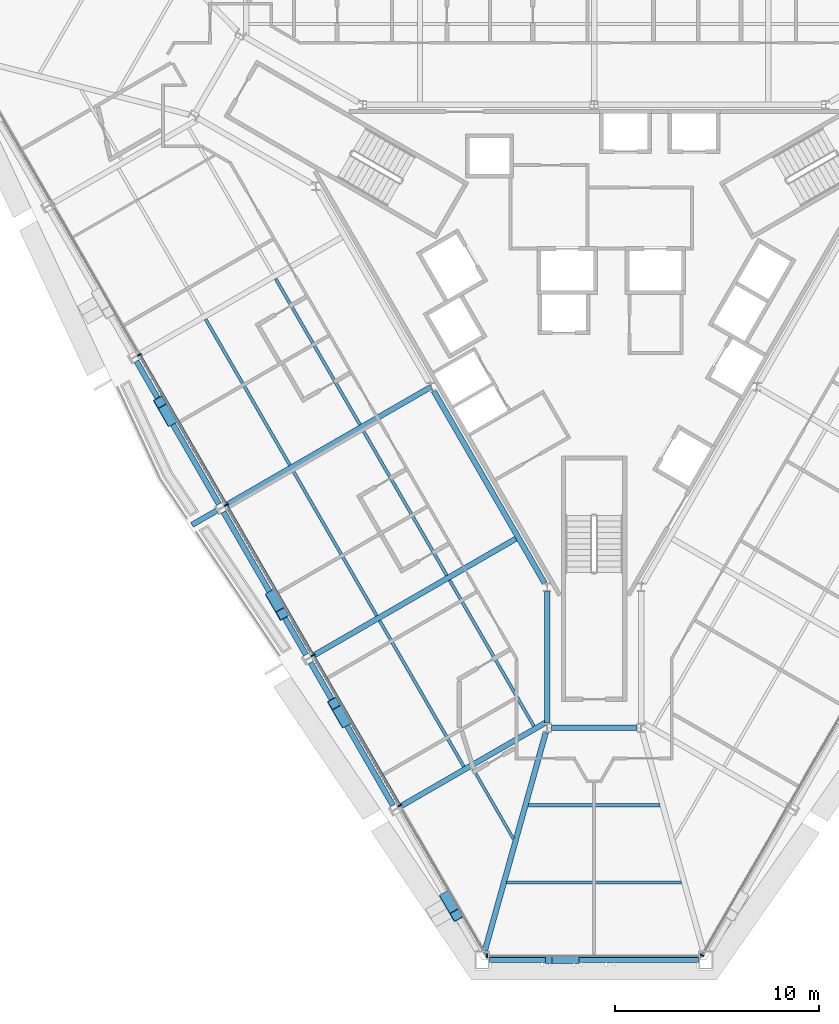
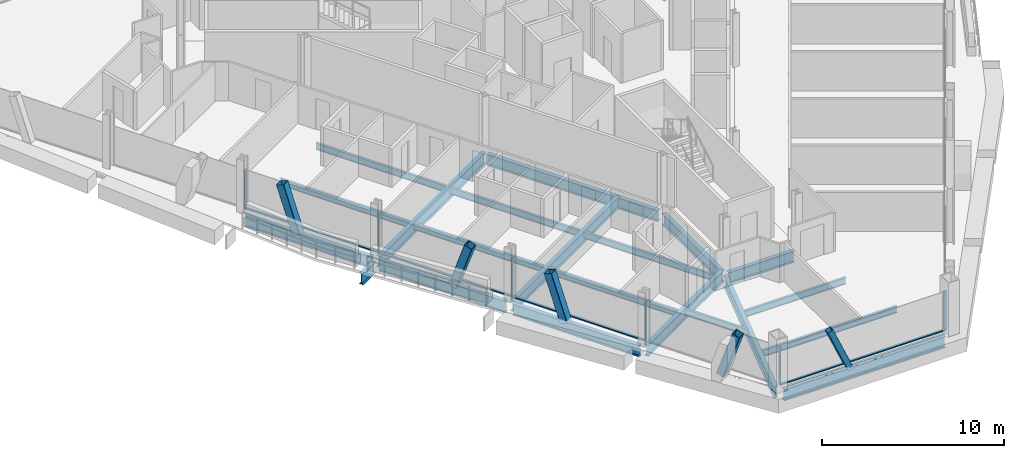
# One storey, part 3 of 17: 21 beams, 15 members, 3 elements without a shape of their own.
"""IFC4 building model written with IfcOpenShell, lengths in metres."""

from ifc_helpers import new_model, si_unit, direction, frame, origin, origin_2d, place, context, subcontext, project, spatial, rectangle, hollow_rectangle, i_section, extrude, material, material_profile, profile_set, type_object, element, aggregate, save


model = new_model("IFC4")

# Units and contexts
model_context = context("Model", 3, precision=1e-05, world=origin(), true_north=direction((0.0, 1.0)))
body_context = subcontext(model_context, "Body", "Model", "MODEL_VIEW")
ifc_project = project(units=[si_unit("LENGTHUNIT", "METRE"), si_unit("AREAUNIT", "SQUARE_METRE"), si_unit("VOLUMEUNIT", "CUBIC_METRE"), si_unit("PLANEANGLEUNIT", "RADIAN"), si_unit("MASSUNIT", "GRAM", prefix="KILO")], contexts=[model_context])

# Site, building, storey
site_placement = place(None, origin())
site = spatial("IfcSite", under=ifc_project, at=site_placement, CompositionType="ELEMENT")
building_placement = place(site_placement, origin())
building = spatial("IfcBuilding", under=site, at=building_placement, Name="Verrane Prism Tower", CompositionType="ELEMENT")
storey_placement = place(building_placement, frame((0.0, 0.0, 51.199951171875)))
storey = spatial("IfcBuildingStorey", under=building, at=storey_placement, Name="L10", CompositionType="ELEMENT", Elevation=51.199951171875)

# Member
ifc_material_1 = material(Name="Steel A500 Grade C", Category="steel")
ifc_material_profile_1 = material_profile(ifc_material_1, hollow_rectangle(XDim=0.355712890625, YDim=0.355712890625, WallThickness=0.0126953125, InnerFilletRadius=0.00634765625, OuterFilletRadius=0.01904296875, at=origin_2d()), Name="HSS14x14x1/2")
ifc_profile_set_1 = profile_set([ifc_material_profile_1], Name="Steel A500 Grade C")
member_type_1 = type_object("IfcMemberType", Name="Chamfer brace HSS14x14x1/2", PredefinedType="BRACE", material=ifc_profile_set_1)
member_1_placement = place(storey_placement, frame((-0.910888671875, -32.659912109375, -0.2451171875), z_axis=(-0.398207964627, 0.0, 0.91729516346), x_axis=(0.0, -1.0, 0.0)))
element("IfcMember", 1, at=member_1_placement, inside=storey, type_object=member_type_1, Name="Chamfer brace S0 L10", PredefinedType="BRACE", context=body_context, shape_type="SweptSolid", body=[
    extrude(hollow_rectangle(XDim=0.355712890625, YDim=0.355712890625, WallThickness=0.0126953125, InnerFilletRadius=0.00634765625, OuterFilletRadius=0.01904296875, at=origin_2d()), origin(), (0.0, 0.0, 1.0), 3.27392578125),
])

# Beams
ifc_material_2 = material(Name="Steel A992", Category="steel")
ifc_material_profile_2 = material_profile(ifc_material_2, i_section(OverallWidth=0.2666015625, OverallDepth=0.76708984375, WebThickness=0.014892578125, FlangeThickness=0.023681640625, FilletRadius=0.0166015625, at=origin_2d()), Name="W30x124")
ifc_profile_set_2 = profile_set([ifc_material_profile_2], Name="Steel A992")
beam_type_1 = type_object("IfcBeamType", Name="Chamfer spandrel beam W30x124", PredefinedType="SPANDREL", material=ifc_profile_set_2)
beam_1_placement = place(storey_placement, frame((-5.1201171875, -32.659912109375, -0.54345703125), z_axis=(1.0, 0.0, 0.0), x_axis=(0.0, 1.0, 0.0)))
element("IfcBeam", 2, at=beam_1_placement, inside=storey, type_object=beam_type_1, Name="Chamfer spandrel beam L10", PredefinedType="SPANDREL", context=body_context, shape_type="SweptSolid", body=[
    extrude(i_section(OverallWidth=0.2666015625, OverallDepth=0.76708984375, WebThickness=0.014892578125, FlangeThickness=0.023681640625, FilletRadius=0.0166015625, at=origin_2d()), origin(), (0.0, 0.0, 1.0), 10.240234375),
])
ifc_material_3 = material(Name="Steel A992", Category="steel")
ifc_material_profile_3 = material_profile(ifc_material_3, i_section(OverallWidth=0.2666015625, OverallDepth=0.7568359375, WebThickness=0.013916015625, FlangeThickness=0.019287109375, FilletRadius=0.0166015625, at=origin_2d()), Name="W30x108")
ifc_profile_set_3 = profile_set([ifc_material_profile_3], Name="Steel A992")
beam_type_2 = type_object("IfcBeamType", Name="Core ring girder W30x108", PredefinedType="BEAM", material=ifc_profile_set_3)
beam_2_placement = place(storey_placement, frame((-7.849609375, -4.808349609375, -0.62841796875), z_axis=(0.500013103396, -0.866017838403, 0.0), x_axis=(0.866017838403, 0.500013103396, 0.0)))
element("IfcBeam", 3, at=beam_2_placement, inside=storey, type_object=beam_type_2, Name="Core ring girder L10", PredefinedType="BEAM", context=body_context, shape_type="SweptSolid", body=[
    extrude(i_section(OverallWidth=0.2666015625, OverallDepth=0.7568359375, WebThickness=0.013916015625, FlangeThickness=0.019287109375, FilletRadius=0.0166015625, at=origin_2d()), origin(), (0.0, 0.0, 1.0), 10.858154296875),
])
beam_3_placement = place(storey_placement, frame((-2.300048828125, -14.62841796875, -0.62841796875), z_axis=(0.0, -1.0, 0.0), x_axis=(1.0, 0.0, 0.0)))
element("IfcBeam", 4, at=beam_3_placement, inside=storey, type_object=beam_type_2, Name="Core ring girder L10", PredefinedType="BEAM", context=body_context, shape_type="SweptSolid", body=[
    extrude(i_section(OverallWidth=0.2666015625, OverallDepth=0.7568359375, WebThickness=0.013916015625, FlangeThickness=0.019287109375, FilletRadius=0.0166015625, at=origin_2d()), origin(), (0.0, 0.0, 1.0), 6.4443359375),
])
beam_4_placement = place(storey_placement, frame((-2.09033203125, -21.300048828125, -0.62841796875), z_axis=(1.0, 0.0, 0.0), x_axis=(0.0, 1.0, 0.0)))
element("IfcBeam", 5, at=beam_4_placement, inside=storey, type_object=beam_type_2, Name="Core ring girder L10", PredefinedType="BEAM", context=body_context, shape_type="SweptSolid", body=[
    extrude(i_section(OverallWidth=0.2666015625, OverallDepth=0.7568359375, WebThickness=0.013916015625, FlangeThickness=0.019287109375, FilletRadius=0.0166015625, at=origin_2d()), origin(), (0.0, 0.0, 1.0), 4.1806640625),
])
ifc_material_4 = material(Name="Steel A992", Category="steel")
ifc_material_profile_4 = material_profile(ifc_material_4, i_section(OverallWidth=0.2666015625, OverallDepth=0.76708984375, WebThickness=0.014892578125, FlangeThickness=0.023681640625, FilletRadius=0.0166015625, at=origin_2d()), Name="W30x124")
ifc_profile_set_4 = profile_set([ifc_material_profile_4], Name="Steel A992")
beam_type_3 = type_object("IfcBeamType", Name="Corner girder W30x124", PredefinedType="BEAM", material=ifc_profile_set_4)
beam_5_placement = place(storey_placement, frame((-5.344482421875, -32.2099609375, -0.603515625), z_axis=(0.268799442753, 0.963196168792, 0.0), x_axis=(-0.963196168792, 0.268799442753, 0.0)))
element("IfcBeam", 6, at=beam_5_placement, inside=storey, type_object=beam_type_3, Name="Corner girder L10", PredefinedType="BEAM", context=body_context, shape_type="SweptSolid", body=[
    extrude(i_section(OverallWidth=0.2666015625, OverallDepth=0.76708984375, WebThickness=0.014892578125, FlangeThickness=0.023681640625, FilletRadius=0.0166015625, at=origin_2d()), origin(), (0.0, 0.0, 1.0), 11.0908203125),
])

# Members
ifc_material_5 = material(Name="Steel A1085 Grade A", Category="steel")
ifc_material_profile_5 = material_profile(ifc_material_5, hollow_rectangle(XDim=0.508056640625, YDim=0.508056640625, WallThickness=0.025390625, InnerFilletRadius=0.0126953125, OuterFilletRadius=0.0380859375, at=origin_2d()), Name="HSS20x20x1")
ifc_profile_set_5 = profile_set([ifc_material_profile_5], Name="Steel A1085 Grade A")
member_type_2 = type_object("IfcMemberType", Name="Facade brace HSS20x20x1", PredefinedType="BRACE", material=ifc_profile_set_5)
member_2_placement = place(storey_placement, frame((-20.734375, -6.236083984375, -0.242431640625), z_axis=(-0.160153272849, 0.277404228727, 0.947310837624), x_axis=(-0.866033694824, -0.499985639223, 0.0)))
element("IfcMember", 7, at=member_2_placement, inside=storey, type_object=member_type_2, Name="Facade brace SW2 L10", PredefinedType="BRACE", context=body_context, shape_type="SweptSolid", body=[
    extrude(hollow_rectangle(XDim=0.508056640625, YDim=0.508056640625, WallThickness=0.025390625, InnerFilletRadius=0.0126953125, OuterFilletRadius=0.0380859375, at=origin_2d()), origin(), (0.0, 0.0, 1.0), 3.17529296875),
])
member_3_placement = place(storey_placement, frame((-15.765625, -14.837890625, -0.242431640625), z_axis=(0.160166930316, -0.277120315344, 0.947391621906), x_axis=(0.865793377433, 0.500401666258, 0.0)))
element("IfcMember", 8, at=member_3_placement, inside=storey, type_object=member_type_2, Name="Facade brace SW3 L10", PredefinedType="BRACE", context=body_context, shape_type="SweptSolid", body=[
    extrude(hollow_rectangle(XDim=0.508056640625, YDim=0.508056640625, WallThickness=0.025390625, InnerFilletRadius=0.0126953125, OuterFilletRadius=0.0380859375, at=origin_2d()), origin(), (0.0, 0.0, 1.0), 3.175048828125),
])
member_4_placement = place(storey_placement, frame((-12.21435546875, -20.986083984375, -0.242431640625), z_axis=(-0.160153272849, 0.277404228727, 0.947310837624), x_axis=(-0.866033694824, -0.499985639223, 0.0)))
element("IfcMember", 9, at=member_4_placement, inside=storey, type_object=member_type_2, Name="Facade brace SW4 L10", PredefinedType="BRACE", context=body_context, shape_type="SweptSolid", body=[
    extrude(hollow_rectangle(XDim=0.508056640625, YDim=0.508056640625, WallThickness=0.025390625, InnerFilletRadius=0.0126953125, OuterFilletRadius=0.0380859375, at=origin_2d()), origin(), (0.0, 0.0, 1.0), 3.17529296875),
])
member_5_placement = place(storey_placement, frame((-7.24560546875, -29.587890625, -0.242431640625), z_axis=(0.160092009059, -0.277123727497, 0.94740328704), x_axis=(0.865897450062, 0.500221556889, 0.0)))
element("IfcMember", 10, at=member_5_placement, inside=storey, type_object=member_type_2, Name="Facade brace SW5 L10", PredefinedType="BRACE", context=body_context, shape_type="SweptSolid", body=[
    extrude(hollow_rectangle(XDim=0.508056640625, YDim=0.508056640625, WallThickness=0.025390625, InnerFilletRadius=0.0126953125, OuterFilletRadius=0.0380859375, at=origin_2d()), origin(), (0.0, 0.0, 1.0), 3.175048828125),
])

# Beams
ifc_material_6 = material(Name="Steel A992", Category="steel")
ifc_material_profile_6 = material_profile(ifc_material_6, i_section(OverallWidth=0.140380859375, OverallDepth=0.40380859375, WebThickness=0.007080078125, FlangeThickness=0.01123046875, FilletRadius=0.01025390625, at=origin_2d()), Name="W16x31")
ifc_profile_set_6 = profile_set([ifc_material_profile_6], Name="Steel A992")
beam_type_4 = type_object("IfcBeamType", Name="Floor beam W16x31", PredefinedType="BEAM", material=ifc_profile_set_6)
beam_6_placement = place(storey_placement, frame((-3.950927734375, -26.719970703125, -0.36181640625), z_axis=(-0.499997556188, 0.866026814715, 0.0), x_axis=(-0.866026814715, -0.499997556188, 0.0)))
element("IfcBeam", 11, at=beam_6_placement, inside=storey, type_object=beam_type_4, Name="Floor beam L10", PredefinedType="BEAM", context=body_context, shape_type="SweptSolid", body=[
    extrude(i_section(OverallWidth=0.140380859375, OverallDepth=0.40380859375, WebThickness=0.007080078125, FlangeThickness=0.01123046875, FilletRadius=0.01025390625, at=origin_2d()), origin(), (0.0, 0.0, 1.0), 3.99462890625),
])
ifc_material_7 = material(Name="Steel A992", Category="steel")
ifc_material_profile_7 = material_profile(ifc_material_7, i_section(OverallWidth=0.15234375, OverallDepth=0.449462890625, WebThickness=0.007568359375, FlangeThickness=0.0107421875, FilletRadius=0.01025390625, at=origin_2d()), Name="W18x35")
ifc_profile_set_7 = profile_set([ifc_material_profile_7], Name="Steel A992")
beam_type_5 = type_object("IfcBeamType", Name="Floor beam W18x35", PredefinedType="BEAM", material=ifc_profile_set_7)
beam_7_placement = place(storey_placement, frame((-11.4580078125, -6.461181640625, -0.384765625), z_axis=(-0.500002492643, 0.866023964651, 0.0), x_axis=(-0.866023964651, -0.500002492643, 0.0)))
element("IfcBeam", 12, at=beam_7_placement, inside=storey, type_object=beam_type_5, Name="Floor beam L10", PredefinedType="BEAM", context=body_context, shape_type="SweptSolid", body=[
    extrude(i_section(OverallWidth=0.15234375, OverallDepth=0.449462890625, WebThickness=0.007568359375, FlangeThickness=0.0107421875, FilletRadius=0.01025390625, at=origin_2d()), origin(), (0.0, 0.0, 1.0), 8.2509765625),
])
beam_8_placement = place(storey_placement, frame((-14.887451171875, -8.44287109375, -0.384765625), z_axis=(-0.499992194788, 0.866029910079, 0.0), x_axis=(-0.866029910079, -0.499992194788, 0.0)))
element("IfcBeam", 13, at=beam_8_placement, inside=storey, type_object=beam_type_5, Name="Floor beam L10", PredefinedType="BEAM", context=body_context, shape_type="SweptSolid", body=[
    extrude(i_section(OverallWidth=0.15234375, OverallDepth=0.449462890625, WebThickness=0.007568359375, FlangeThickness=0.0107421875, FilletRadius=0.01025390625, at=origin_2d()), origin(), (0.0, 0.0, 1.0), 8.252685546875),
])
beam_9_placement = place(storey_placement, frame((-7.2041015625, -13.841552734375, -0.384765625), z_axis=(-0.499999059579, 0.866025946736, 0.0), x_axis=(-0.866025946736, -0.499999059579, 0.0)))
element("IfcBeam", 14, at=beam_9_placement, inside=storey, type_object=beam_type_5, Name="Floor beam L10", PredefinedType="BEAM", context=body_context, shape_type="SweptSolid", body=[
    extrude(i_section(OverallWidth=0.15234375, OverallDepth=0.449462890625, WebThickness=0.007568359375, FlangeThickness=0.0107421875, FilletRadius=0.01025390625, at=origin_2d()), origin(), (0.0, 0.0, 1.0), 8.25146484375),
])
beam_10_placement = place(storey_placement, frame((-10.63232421875, -15.819091796875, -0.384765625), z_axis=(-0.499994031393, 0.866028849734, 0.0), x_axis=(-0.866028849734, -0.499994031393, 0.0)))
element("IfcBeam", 15, at=beam_10_placement, inside=storey, type_object=beam_type_5, Name="Floor beam L10", PredefinedType="BEAM", context=body_context, shape_type="SweptSolid", body=[
    extrude(i_section(OverallWidth=0.15234375, OverallDepth=0.449462890625, WebThickness=0.007568359375, FlangeThickness=0.0107421875, FilletRadius=0.01025390625, at=origin_2d()), origin(), (0.0, 0.0, 1.0), 8.24853515625),
])
beam_11_placement = place(storey_placement, frame((-2.944091796875, -21.2177734375, -0.384765625), z_axis=(-0.499989680267, 0.866031361803, 0.0), x_axis=(-0.866031361803, -0.499989680267, 0.0)))
element("IfcBeam", 16, at=beam_11_placement, inside=storey, type_object=beam_type_5, Name="Floor beam L10", PredefinedType="BEAM", context=body_context, shape_type="SweptSolid", body=[
    extrude(i_section(OverallWidth=0.15234375, OverallDepth=0.449462890625, WebThickness=0.007568359375, FlangeThickness=0.0107421875, FilletRadius=0.01025390625, at=origin_2d()), origin(), (0.0, 0.0, 1.0), 8.251220703125),
])
beam_12_placement = place(storey_placement, frame((-6.370361328125, -23.196044921875, -0.384765625), z_axis=(-0.499992194788, 0.866029910079, 0.0), x_axis=(-0.866029910079, -0.499992194788, 0.0)))
element("IfcBeam", 17, at=beam_12_placement, inside=storey, type_object=beam_type_5, Name="Floor beam L10", PredefinedType="BEAM", context=body_context, shape_type="SweptSolid", body=[
    extrude(i_section(OverallWidth=0.15234375, OverallDepth=0.449462890625, WebThickness=0.007568359375, FlangeThickness=0.0107421875, FilletRadius=0.01025390625, at=origin_2d()), origin(), (0.0, 0.0, 1.0), 8.252685546875),
])
beam_13_placement = place(storey_placement, frame((-4.274658203125, -28.873291015625, -0.384765625), z_axis=(1.0, 0.0, 0.0), x_axis=(0.0, 1.0, 0.0)))
element("IfcBeam", 18, at=beam_13_placement, inside=storey, type_object=beam_type_5, Name="Floor beam L10", PredefinedType="BEAM", context=body_context, shape_type="SweptSolid", body=[
    extrude(i_section(OverallWidth=0.15234375, OverallDepth=0.449462890625, WebThickness=0.007568359375, FlangeThickness=0.0107421875, FilletRadius=0.01025390625, at=origin_2d()), origin(), (0.0, 0.0, 1.0), 8.54931640625),
])
beam_14_placement = place(storey_placement, frame((-3.218017578125, -25.086669921875, -0.384765625), z_axis=(1.0, 0.0, 0.0), x_axis=(0.0, 1.0, 0.0)))
element("IfcBeam", 19, at=beam_14_placement, inside=storey, type_object=beam_type_5, Name="Floor beam L10", PredefinedType="BEAM", context=body_context, shape_type="SweptSolid", body=[
    extrude(i_section(OverallWidth=0.15234375, OverallDepth=0.449462890625, WebThickness=0.007568359375, FlangeThickness=0.0107421875, FilletRadius=0.01025390625, at=origin_2d()), origin(), (0.0, 0.0, 1.0), 6.43603515625),
])

# Curtain wall, members
ifc_material_8 = material(Name="Aluminium framed insulated glazing", Category="aluminium")
curtain_wall_type = type_object("IfcCurtainWallType", Name="Curtain wall CW-A 8400 module", PredefinedType="NOTDEFINED", material=ifc_material_8)
curtain_wall_1_placement = place(storey_placement, origin())
curtain_wall_1 = element("IfcCurtainWall", 20, at=curtain_wall_1_placement, inside=storey, type_object=curtain_wall_type, Name="Glazed curtain wall south-west face L10", PredefinedType="NOTDEFINED")
ifc_material_9 = material(Name="Aluminium alloy 6063-T6", Category="aluminium")
ifc_material_profile_8 = material_profile(ifc_material_9, rectangle(XDim=0.199951171875, YDim=0.070068359375, at=origin_2d()), Name="Mullion 70x200 aluminium")
ifc_profile_set_8 = profile_set([ifc_material_profile_8], Name="Aluminium alloy 6063-T6")
member_type_3 = type_object("IfcMemberType", Name="Mullion 70x200 aluminium", PredefinedType="MULLION", material=ifc_profile_set_8)
member_6_placement = place(storey_placement, frame((-22.25146484375, -3.04150390625, 0.0), z_axis=(0.0, 0.0, 1.0), x_axis=(0.866025694591, 0.499999496308, 0.0)))
member_6 = element("IfcMember", 21, at=member_6_placement, type_object=member_type_3, Name="CW09.4 mullion 3", PredefinedType="MULLION", context=body_context, shape_type="SweptSolid", body=[
    extrude(rectangle(XDim=0.199951171875, YDim=0.070068359375, at=origin_2d()), origin(), (0.0, 0.0, 1.0), 2.613037109375),
])
member_7_placement = place(storey_placement, frame((-18.005615234375, -10.3955078125, 0.0), z_axis=(0.0, 0.0, 1.0), x_axis=(0.866025694591, 0.499999496308, 0.0)))
member_7 = element("IfcMember", 22, at=member_7_placement, type_object=member_type_3, Name="CW09.4 mullion 4", PredefinedType="MULLION", context=body_context, shape_type="SweptSolid", body=[
    extrude(rectangle(XDim=0.199951171875, YDim=0.070068359375, at=origin_2d()), origin(), (0.0, 0.0, 1.0), 2.613037109375),
])
member_8_placement = place(storey_placement, frame((-13.759521484375, -17.74951171875, 0.0), z_axis=(0.0, 0.0, 1.0), x_axis=(0.866025694591, 0.499999496308, 0.0)))
member_8 = element("IfcMember", 23, at=member_8_placement, type_object=member_type_3, Name="CW09.4 mullion 5", PredefinedType="MULLION", context=body_context, shape_type="SweptSolid", body=[
    extrude(rectangle(XDim=0.199951171875, YDim=0.070068359375, at=origin_2d()), origin(), (0.0, 0.0, 1.0), 2.613037109375),
])
member_9_placement = place(storey_placement, frame((-9.513671875, -25.103515625, 0.0), z_axis=(0.0, 0.0, 1.0), x_axis=(0.866025694591, 0.499999496308, 0.0)))
member_9 = element("IfcMember", 24, at=member_9_placement, type_object=member_type_3, Name="CW09.4 mullion 6", PredefinedType="MULLION", context=body_context, shape_type="SweptSolid", body=[
    extrude(rectangle(XDim=0.199951171875, YDim=0.070068359375, at=origin_2d()), origin(), (0.0, 0.0, 1.0), 2.613037109375),
])

# Curtain wall, member
curtain_wall_2_placement = place(storey_placement, origin())
curtain_wall_2 = element("IfcCurtainWall", 25, at=curtain_wall_2_placement, inside=storey, type_object=curtain_wall_type, Name="Glazed curtain wall south corner L10", PredefinedType="NOTDEFINED")
member_10_placement = place(storey_placement, frame((-5.23291015625, -32.457763671875, 0.0), z_axis=(0.0, 0.0, 1.0), x_axis=(0.0, 1.0, 0.0)))
member_10 = element("IfcMember", 26, at=member_10_placement, type_object=member_type_3, Name="CW09.5 mullion 1", PredefinedType="MULLION", context=body_context, shape_type="SweptSolid", body=[
    extrude(rectangle(XDim=0.199951171875, YDim=0.070068359375, at=origin_2d()), origin(), (0.0, 0.0, 1.0), 2.613037109375),
])

curtain_wall_3_placement = place(storey_placement, origin())
curtain_wall_3 = element("IfcCurtainWall", 27, at=curtain_wall_3_placement, inside=storey, type_object=curtain_wall_type, Name="Glazed curtain wall south-east face L10", PredefinedType="NOTDEFINED")
member_11_placement = place(storey_placement, frame((5.285400390625, -32.427490234375, 0.0), z_axis=(0.0, 0.0, 1.0), x_axis=(-0.866025694591, 0.499999496308, 0.0)))
member_11 = element("IfcMember", 28, at=member_11_placement, type_object=member_type_3, Name="CW09.6 mullion 1", PredefinedType="MULLION", context=body_context, shape_type="SweptSolid", body=[
    extrude(rectangle(XDim=0.199951171875, YDim=0.070068359375, at=origin_2d()), origin(), (0.0, 0.0, 1.0), 2.613037109375),
])
aggregate(curtain_wall_3, [member_11])

# Beams
ifc_material_10 = material(Name="Steel A992", Category="steel")
ifc_material_profile_9 = material_profile(ifc_material_10, i_section(OverallWidth=0.2666015625, OverallDepth=0.76708984375, WebThickness=0.014892578125, FlangeThickness=0.023681640625, FilletRadius=0.0166015625, at=origin_2d()), Name="W30x124")
ifc_profile_set_9 = profile_set([ifc_material_profile_9], Name="Steel A992")
beam_type_6 = type_object("IfcBeamType", Name="Radial girder W30x124", PredefinedType="BEAM", material=ifc_profile_set_9)
beam_15_placement = place(storey_placement, frame((-18.02001953125, -10.4072265625, -0.603515625), z_axis=(0.866018505729, 0.500011947592, 0.0), x_axis=(-0.500011947592, 0.866018505729, 0.0)))
element("IfcBeam", 29, at=beam_15_placement, inside=storey, type_object=beam_type_6, Name="Radial girder L10", PredefinedType="BEAM", context=body_context, shape_type="SweptSolid", body=[
    extrude(i_section(OverallWidth=0.2666015625, OverallDepth=0.76708984375, WebThickness=0.014892578125, FlangeThickness=0.023681640625, FilletRadius=0.0166015625, at=origin_2d()), origin(), (0.0, 0.0, 1.0), 11.607177734375),
])
beam_16_placement = place(storey_placement, frame((-13.760009765625, -17.77734375, -0.603515625), z_axis=(0.86601774804, 0.500013259905, 0.0), x_axis=(-0.500013259905, 0.86601774804, 0.0)))
element("IfcBeam", 30, at=beam_16_placement, inside=storey, type_object=beam_type_6, Name="Radial girder L10", PredefinedType="BEAM", context=body_context, shape_type="SweptSolid", body=[
    extrude(i_section(OverallWidth=0.2666015625, OverallDepth=0.76708984375, WebThickness=0.014892578125, FlangeThickness=0.023681640625, FilletRadius=0.0166015625, at=origin_2d()), origin(), (0.0, 0.0, 1.0), 11.603271484375),
])
beam_17_placement = place(storey_placement, frame((-9.5, -25.1572265625, -0.603515625), z_axis=(0.86602078527, 0.500007999416, 0.0), x_axis=(-0.500007999416, 0.86602078527, 0.0)))
element("IfcBeam", 31, at=beam_17_placement, inside=storey, type_object=beam_type_6, Name="Radial girder L10", PredefinedType="BEAM", context=body_context, shape_type="SweptSolid", body=[
    extrude(i_section(OverallWidth=0.2666015625, OverallDepth=0.76708984375, WebThickness=0.014892578125, FlangeThickness=0.023681640625, FilletRadius=0.0166015625, at=origin_2d()), origin(), (0.0, 0.0, 1.0), 8.313720703125),
])
beam_18_placement = place(storey_placement, frame((-18.476318359375, -10.670654296875, -0.603515625), z_axis=(-0.866036123695, -0.499981432111, 0.0), x_axis=(0.499981432111, -0.866036123695, 0.0)))
element("IfcBeam", 32, at=beam_18_placement, inside=storey, type_object=beam_type_6, Name="Cantilever girder L10", PredefinedType="BEAM", context=body_context, shape_type="SweptSolid", body=[
    extrude(i_section(OverallWidth=0.2666015625, OverallDepth=0.76708984375, WebThickness=0.014892578125, FlangeThickness=0.023681640625, FilletRadius=0.0166015625, at=origin_2d()), origin(), (0.0, 0.0, 1.0), 1.38720703125),
])
ifc_material_11 = material(Name="Steel A992", Category="steel")
ifc_material_profile_10 = material_profile(ifc_material_11, i_section(OverallWidth=0.2666015625, OverallDepth=0.7568359375, WebThickness=0.013916015625, FlangeThickness=0.019287109375, FilletRadius=0.0166015625, at=origin_2d()), Name="W30x108")
ifc_profile_set_10 = profile_set([ifc_material_profile_10], Name="Steel A992")
beam_type_7 = type_object("IfcBeamType", Name="Spandrel beam W30x108", PredefinedType="SPANDREL", material=ifc_profile_set_10)
beam_19_placement = place(storey_placement, frame((-22.3994140625, -3.351318359375, -0.538330078125), z_axis=(0.499899459246, -0.866083443235, 0.0), x_axis=(0.866083443235, 0.499899459246, 0.0)))
element("IfcBeam", 33, at=beam_19_placement, inside=storey, type_object=beam_type_7, Name="Spandrel beam L10", PredefinedType="SPANDREL", context=body_context, shape_type="SweptSolid", body=[
    extrude(i_section(OverallWidth=0.2666015625, OverallDepth=0.7568359375, WebThickness=0.013916015625, FlangeThickness=0.019287109375, FilletRadius=0.0166015625, at=origin_2d()), origin(), (0.0, 0.0, 1.0), 8.079345703125),
])
beam_20_placement = place(storey_placement, frame((-18.139404296875, -10.731201171875, -0.538330078125), z_axis=(0.500423240289, -0.865780907955, 0.0), x_axis=(0.865780907955, 0.500423240289, 0.0)))
element("IfcBeam", 34, at=beam_20_placement, inside=storey, type_object=beam_type_7, Name="Spandrel beam L10", PredefinedType="SPANDREL", context=body_context, shape_type="SweptSolid", body=[
    extrude(i_section(OverallWidth=0.2666015625, OverallDepth=0.7568359375, WebThickness=0.013916015625, FlangeThickness=0.019287109375, FilletRadius=0.0166015625, at=origin_2d()), origin(), (0.0, 0.0, 1.0), 8.07080078125),
])
beam_21_placement = place(storey_placement, frame((-13.87939453125, -18.101318359375, -0.538330078125), z_axis=(0.499899459246, -0.866083443235, 0.0), x_axis=(0.866083443235, 0.499899459246, 0.0)))
element("IfcBeam", 35, at=beam_21_placement, inside=storey, type_object=beam_type_7, Name="Spandrel beam L10", PredefinedType="SPANDREL", context=body_context, shape_type="SweptSolid", body=[
    extrude(i_section(OverallWidth=0.2666015625, OverallDepth=0.7568359375, WebThickness=0.013916015625, FlangeThickness=0.019287109375, FilletRadius=0.0166015625, at=origin_2d()), origin(), (0.0, 0.0, 1.0), 8.079345703125),
])

# Member
ifc_material_12 = material(Name="Aluminium alloy 6063-T6", Category="aluminium")
ifc_material_profile_11 = material_profile(ifc_material_12, rectangle(XDim=0.14990234375, YDim=0.070068359375, at=origin_2d()), Name="Transom 70x150 aluminium")
ifc_profile_set_11 = profile_set([ifc_material_profile_11], Name="Aluminium alloy 6063-T6")
member_type_4 = type_object("IfcMemberType", Name="Transom 70x150 aluminium", PredefinedType="USERDEFINED", material=ifc_profile_set_11)
member_12_placement = place(storey_placement, frame((-22.23388671875, -3.07177734375, 0.03515625), z_axis=(0.500005175824, -0.866022415501, 0.0), x_axis=(0.866022415501, 0.500005175824, 0.0)))
member_12 = element("IfcMember", 36, at=member_12_placement, type_object=member_type_4, Name="CW09.4 transom 3", ObjectType="TRANSOM", PredefinedType="USERDEFINED", context=body_context, shape_type="SweptSolid", body=[
    extrude(rectangle(XDim=0.14990234375, YDim=0.070068359375, at=origin_2d()), origin(), (0.0, 0.0, 1.0), 8.421875),
])

member_13_placement = place(storey_placement, frame((-17.988037109375, -10.42578125, 0.03515625), z_axis=(0.500005175824, -0.866022415501, 0.0), x_axis=(0.866022415501, 0.500005175824, 0.0)))
member_13 = element("IfcMember", 37, at=member_13_placement, type_object=member_type_4, Name="CW09.4 transom 4", ObjectType="TRANSOM", PredefinedType="USERDEFINED", context=body_context, shape_type="SweptSolid", body=[
    extrude(rectangle(XDim=0.14990234375, YDim=0.070068359375, at=origin_2d()), origin(), (0.0, 0.0, 1.0), 8.421875),
])

member_14_placement = place(storey_placement, frame((-13.7421875, -17.77978515625, 0.03515625), z_axis=(0.500005175824, -0.866022415501, 0.0), x_axis=(0.866022415501, 0.500005175824, 0.0)))
member_14 = element("IfcMember", 38, at=member_14_placement, type_object=member_type_4, Name="CW09.4 transom 5", ObjectType="TRANSOM", PredefinedType="USERDEFINED", context=body_context, shape_type="SweptSolid", body=[
    extrude(rectangle(XDim=0.14990234375, YDim=0.070068359375, at=origin_2d()), origin(), (0.0, 0.0, 1.0), 8.421875),
])

aggregate(curtain_wall_1, [member_6, member_7, member_8, member_9, member_12, member_13, member_14])

member_15_placement = place(storey_placement, frame((-5.197998046875, -32.457763671875, 0.03515625), z_axis=(1.0, 0.0, 0.0), x_axis=(0.0, 1.0, 0.0)))
member_15 = element("IfcMember", 39, at=member_15_placement, type_object=member_type_4, Name="CW09.5 transom 1", ObjectType="TRANSOM", PredefinedType="USERDEFINED", context=body_context, shape_type="SweptSolid", body=[
    extrude(rectangle(XDim=0.14990234375, YDim=0.070068359375, at=origin_2d()), origin(), (0.0, 0.0, 1.0), 10.4658203125),
])

aggregate(curtain_wall_2, [member_10, member_15])

save(model, "model.ifc")
